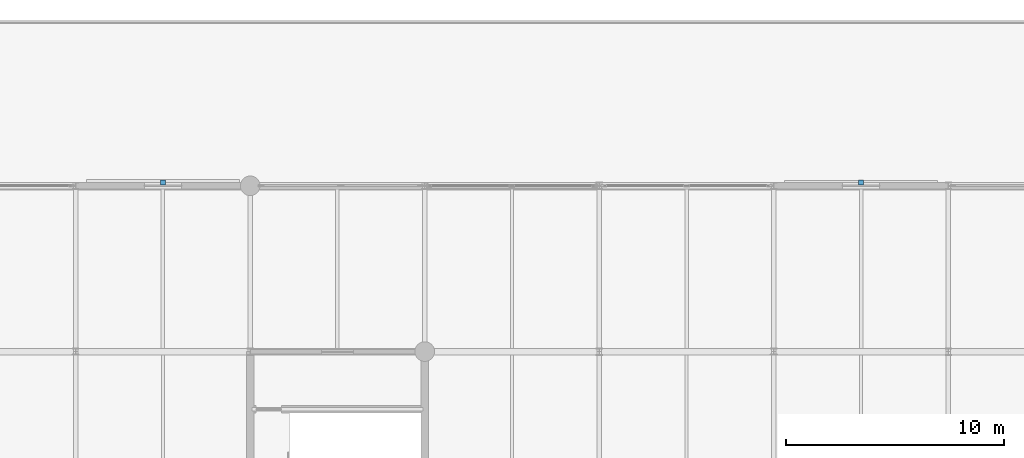
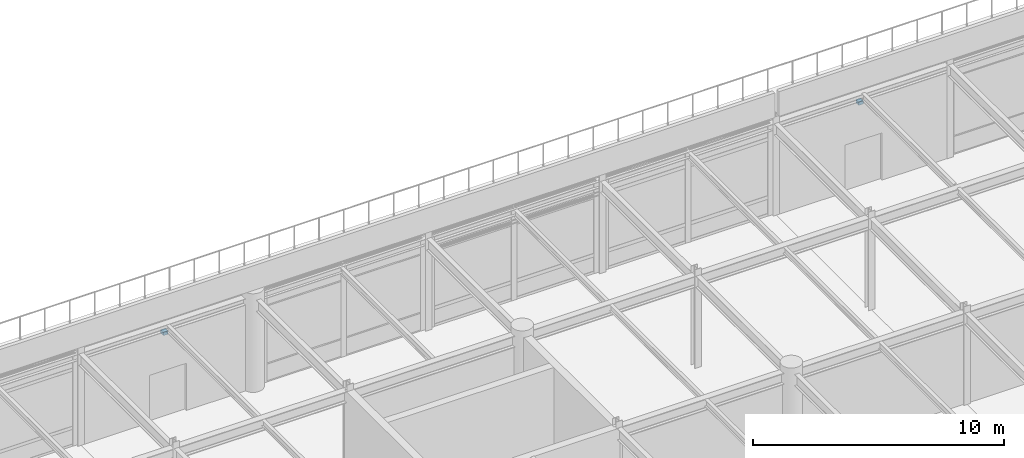
# One storey, part 41 of 43: 2 discrete accessories.
"""IFC4 building model written with IfcOpenShell, lengths in metres."""

from ifc_helpers import new_model, si_unit, direction, frame, origin, origin_2d, place, context, subcontext, project, spatial, rectangle, extrude, material, type_object, element, save


model = new_model("IFC4")

# Units and contexts
model_context = context("Model", 3, precision=1e-05, world=origin(), true_north=direction((0.0, 1.0)))
body_context = subcontext(model_context, "Body", "Model", "MODEL_VIEW")
ifc_project = project(units=[si_unit("LENGTHUNIT", "METRE"), si_unit("AREAUNIT", "SQUARE_METRE"), si_unit("VOLUMEUNIT", "CUBIC_METRE"), si_unit("PLANEANGLEUNIT", "RADIAN"), si_unit("MASSUNIT", "GRAM", prefix="KILO")], contexts=[model_context])

# Site, building, storey
site_placement = place(None, origin())
site = spatial("IfcSite", under=ifc_project, at=site_placement, CompositionType="ELEMENT")
building_placement = place(site_placement, origin())
building = spatial("IfcBuilding", under=site, at=building_placement, Name="Shalkamar Park Central Library", CompositionType="ELEMENT")
storey_placement = place(building_placement, frame((0.0, 0.0, 15.60009765625)))
storey = spatial("IfcBuildingStorey", under=building, at=storey_placement, Name="L04", CompositionType="ELEMENT", Elevation=15.60009765625)

# Discrete accessories
ifc_material = material(Name="Steel S355", Category="steel")
discrete_accessory_type = type_object("IfcDiscreteAccessoryType", Name="Stainless Facade Bracket", PredefinedType="BRACKET", material=ifc_material)
for number, where, z_axis, x_axis, name in (
    (1, (193.0, 316.14501953125, 3.86279296875), (0.0, 0.0, 1.0), (1.0, 0.0, 0.0), "Frieze Fixing Bracket L04-040"),
    (2, (225.0, 316.14501953125, 3.86279296875), (0.0, 0.0, 1.0), (1.0, 0.0, 0.0), "Frieze Fixing Bracket L04-041"),
):
    element("IfcDiscreteAccessory", number, at=place(storey_placement, frame(where, z_axis=z_axis, x_axis=x_axis)), inside=storey, type_object=discrete_accessory_type, Name=name, PredefinedType="BRACKET", context=body_context, shape_type="SweptSolid", body=[
        extrude(rectangle(XDim=0.219970703125, YDim=0.219970703125, at=origin_2d()), origin(), (0.0, 0.0, 1.0), 0.159912109375),
    ])

save(model, "model.ifc")
